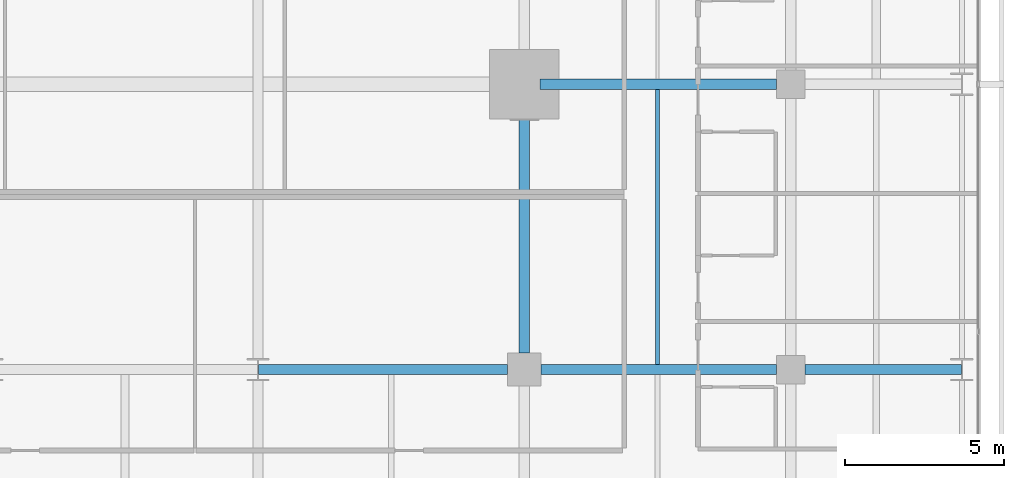
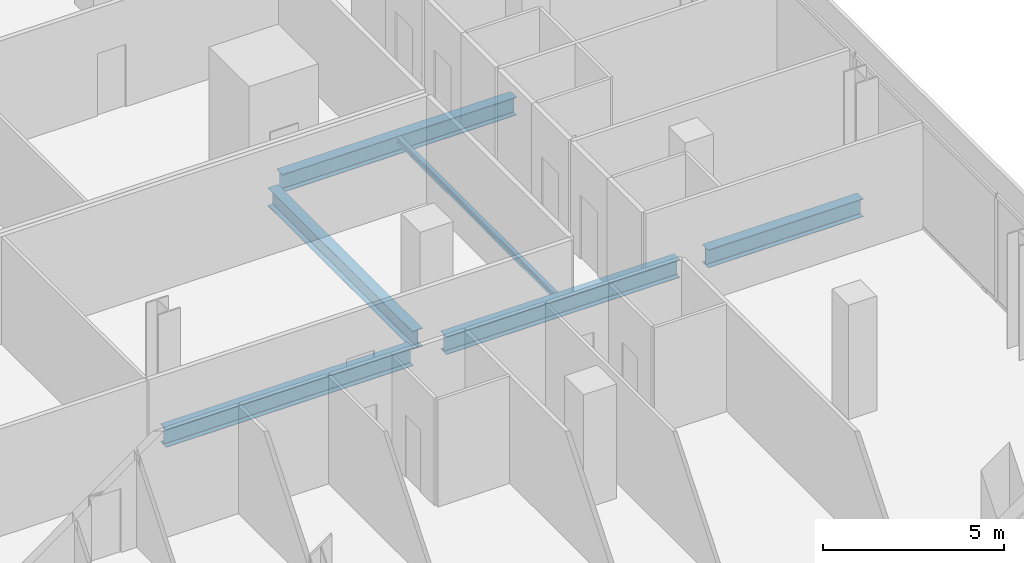
# One storey, part 18 of 41: 6 beams.
"""IFC4 building model written with IfcOpenShell, lengths in metres."""

from ifc_helpers import new_model, si_unit, direction, frame, origin, origin_2d, place, context, subcontext, project, spatial, i_section, extrude, material, material_profile, profile_set, type_object, element, save


model = new_model("IFC4")

# Units and contexts
model_context = context("Model", 3, precision=1e-05, world=origin(), true_north=direction((0.0, 1.0)))
body_context = subcontext(model_context, "Body", "Model", "MODEL_VIEW")
ifc_project = project(units=[si_unit("LENGTHUNIT", "METRE"), si_unit("AREAUNIT", "SQUARE_METRE"), si_unit("VOLUMEUNIT", "CUBIC_METRE"), si_unit("PLANEANGLEUNIT", "RADIAN"), si_unit("MASSUNIT", "GRAM", prefix="KILO")], contexts=[model_context])

# Site, building, storey
site_placement = place(None, origin())
site = spatial("IfcSite", under=ifc_project, at=site_placement, CompositionType="ELEMENT")
building_placement = place(site_placement, origin())
building = spatial("IfcBuilding", under=site, at=building_placement, Name="Maruvema Waterfront Hotel and Observation Tower", CompositionType="ELEMENT")
storey_placement = place(building_placement, frame((0.0, 0.0, 84.699951171875)))
storey = spatial("IfcBuildingStorey", under=building, at=storey_placement, Name="L20", CompositionType="ELEMENT", Elevation=84.699951171875)

# Beams
ifc_material_1 = material(Name="Steel ASTM A572 Grade 50", Category="steel")
ifc_material_profile_1 = material_profile(ifc_material_1, i_section(OverallWidth=0.323974609375, OverallDepth=0.611083984375, WebThickness=0.0126953125, FlangeThickness=0.01904296875, FilletRadius=0.01806640625, at=origin_2d()), Name="W610x155.0")
ifc_profile_set_1 = profile_set([ifc_material_profile_1], Name="Steel ASTM A572 Grade 50")
beam_type_1 = type_object("IfcBeamType", Name="Primary Floor Girder W610x155.0", PredefinedType="BEAM", material=ifc_profile_set_1)
beam_1_placement = place(storey_placement, frame((42.013916015625, 18.0, -0.54541015625), z_axis=(1.0, 0.0, 0.0), x_axis=(0.0, 1.0, 0.0)))
element("IfcBeam", 1, at=beam_1_placement, inside=storey, type_object=beam_type_1, Name="L20 Floor Girder EW-17", PredefinedType="BEAM", context=body_context, shape_type="SweptSolid", body=[
    extrude(i_section(OverallWidth=0.323974609375, OverallDepth=0.611083984375, WebThickness=0.0126953125, FlangeThickness=0.01904296875, FilletRadius=0.01806640625, at=origin_2d()), origin(), (0.0, 0.0, 1.0), 7.861083984375),
])
beam_2_placement = place(storey_placement, frame((50.925048828125, 18.0, -0.54541015625), z_axis=(1.0, 0.0, 0.0), x_axis=(0.0, 1.0, 0.0)))
element("IfcBeam", 2, at=beam_2_placement, inside=storey, type_object=beam_type_1, Name="L20 Floor Girder EW-18", PredefinedType="BEAM", context=body_context, shape_type="SweptSolid", body=[
    extrude(i_section(OverallWidth=0.323974609375, OverallDepth=0.611083984375, WebThickness=0.0126953125, FlangeThickness=0.01904296875, FilletRadius=0.01806640625, at=origin_2d()), origin(), (0.0, 0.0, 1.0), 7.425048828125),
])
beam_3_placement = place(storey_placement, frame((59.25, 18.0, -0.54541015625), z_axis=(1.0, 0.0, 0.0), x_axis=(0.0, 1.0, 0.0)))
element("IfcBeam", 3, at=beam_3_placement, inside=storey, type_object=beam_type_1, Name="L20 Floor Girder EW-19", PredefinedType="BEAM", context=body_context, shape_type="SweptSolid", body=[
    extrude(i_section(OverallWidth=0.323974609375, OverallDepth=0.611083984375, WebThickness=0.0126953125, FlangeThickness=0.01904296875, FilletRadius=0.01806640625, at=origin_2d()), origin(), (0.0, 0.0, 1.0), 4.93603515625),
])
beam_4_placement = place(storey_placement, frame((50.89990234375, 27.0, -0.54541015625), z_axis=(1.0, 0.0, 0.0), x_axis=(0.0, 1.0, 0.0)))
element("IfcBeam", 4, at=beam_4_placement, inside=storey, type_object=beam_type_1, Name="L20 Floor Girder EW-23", PredefinedType="BEAM", context=body_context, shape_type="SweptSolid", body=[
    extrude(i_section(OverallWidth=0.323974609375, OverallDepth=0.611083984375, WebThickness=0.0126953125, FlangeThickness=0.01904296875, FilletRadius=0.01806640625, at=origin_2d()), origin(), (0.0, 0.0, 1.0), 7.4501953125),
])
beam_5_placement = place(storey_placement, frame((50.39990234375, 18.52490234375, -0.54541015625), z_axis=(0.0, 1.0, 0.0), x_axis=(-1.0, 0.0, 0.0)))
element("IfcBeam", 5, at=beam_5_placement, inside=storey, type_object=beam_type_1, Name="L20 Floor Girder NS-24", PredefinedType="BEAM", context=body_context, shape_type="SweptSolid", body=[
    extrude(i_section(OverallWidth=0.323974609375, OverallDepth=0.611083984375, WebThickness=0.0126953125, FlangeThickness=0.01904296875, FilletRadius=0.01806640625, at=origin_2d()), origin(), (0.0, 0.0, 1.0), 7.97509765625),
])
ifc_material_2 = material(Name="Steel ASTM A572 Grade 50", Category="steel")
ifc_material_profile_2 = material_profile(ifc_material_2, i_section(OverallWidth=0.133056640625, OverallDepth=0.20703125, WebThickness=0.005859375, FlangeThickness=0.00830078125, FilletRadius=0.010009765625, at=origin_2d()), Name="W200x26.6")
ifc_profile_set_2 = profile_set([ifc_material_profile_2], Name="Steel ASTM A572 Grade 50")
beam_type_2 = type_object("IfcBeamType", Name="Secondary Floor Joist W200x26.6", PredefinedType="JOIST", material=ifc_profile_set_2)
beam_6_placement = place(storey_placement, frame((54.60009765625, 18.162109375, -0.343505859375), z_axis=(0.0, 1.0, 0.0), x_axis=(-1.0, 0.0, 0.0)))
element("IfcBeam", 6, at=beam_6_placement, inside=storey, type_object=beam_type_2, Name="L20 Secondary Floor Joist JS-18", PredefinedType="JOIST", context=body_context, shape_type="SweptSolid", body=[
    extrude(i_section(OverallWidth=0.133056640625, OverallDepth=0.20703125, WebThickness=0.005859375, FlangeThickness=0.00830078125, FilletRadius=0.010009765625, at=origin_2d()), origin(), (0.0, 0.0, 1.0), 8.67578125),
])

save(model, "model.ifc")
